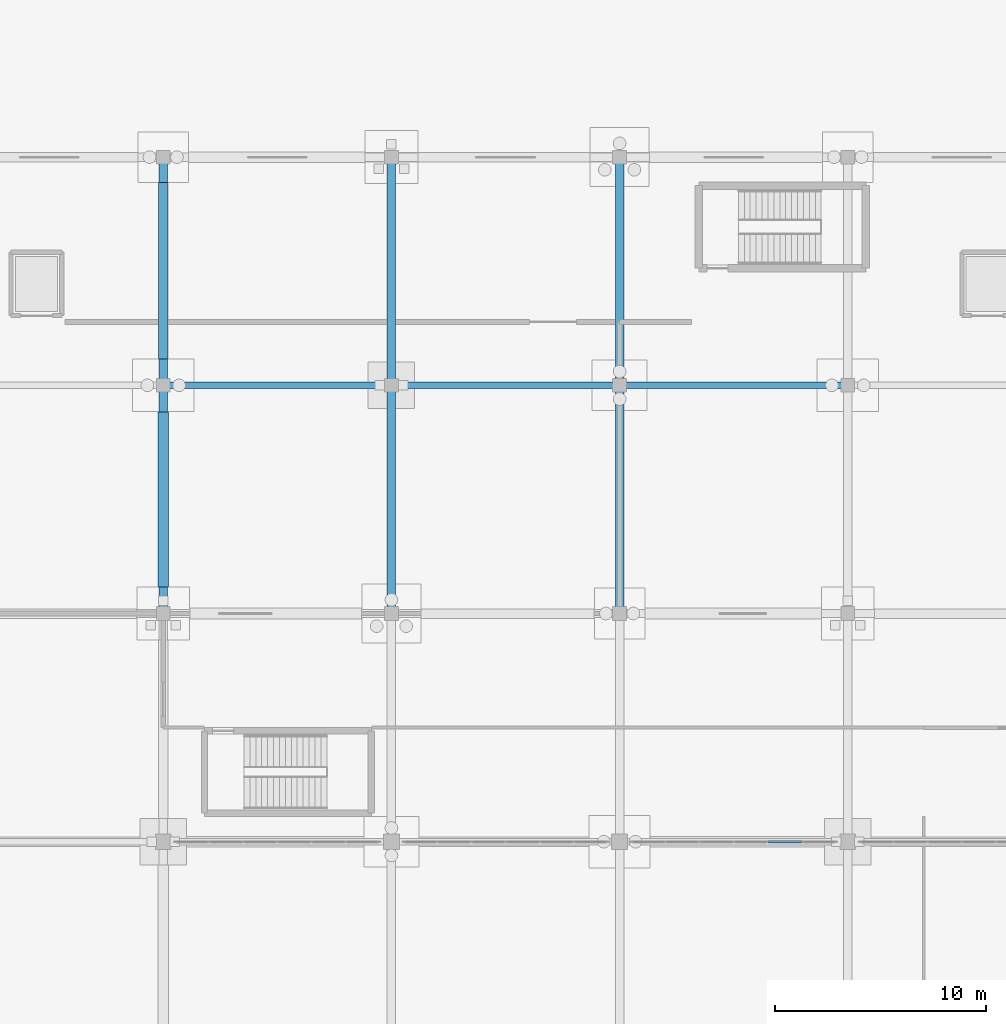
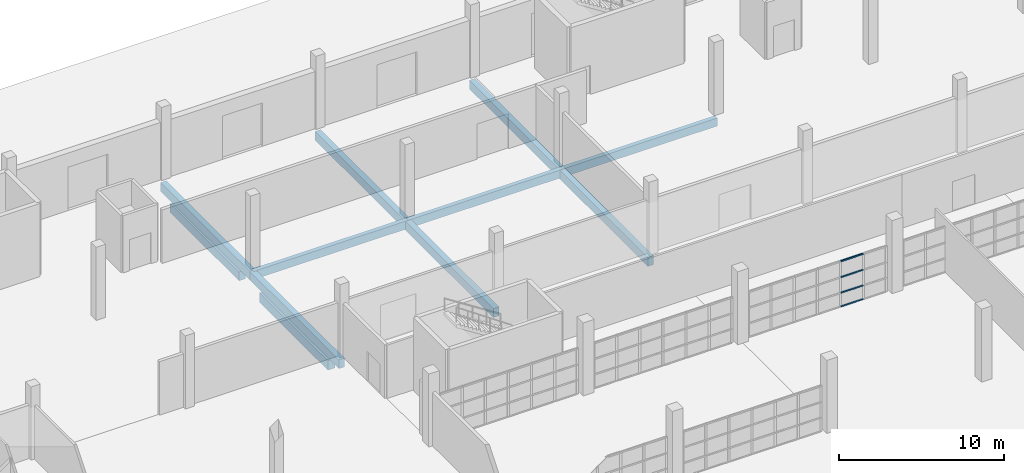
# One storey, part 55 of 138: 11 beams, 4 members, 1 element without a shape of its own.
"""IFC4 building model written with IfcOpenShell, lengths in metres."""

from ifc_helpers import new_model, si_unit, direction, frame, origin, origin_2d, place, context, subcontext, project, spatial, rectangle, extrude, material, material_profile, profile_set, type_object, element, aggregate, save


model = new_model("IFC4")

# Units and contexts
model_context = context("Model", 3, precision=1e-05, world=origin(), true_north=direction((0.0, 1.0)))
body_context = subcontext(model_context, "Body", "Model", "MODEL_VIEW")
ifc_project = project(units=[si_unit("LENGTHUNIT", "METRE"), si_unit("AREAUNIT", "SQUARE_METRE"), si_unit("VOLUMEUNIT", "CUBIC_METRE"), si_unit("PLANEANGLEUNIT", "RADIAN"), si_unit("MASSUNIT", "GRAM", prefix="KILO")], contexts=[model_context])

# Site, building, storey
site_placement = place(None, origin())
site = spatial("IfcSite", under=ifc_project, at=site_placement, CompositionType="ELEMENT")
building_placement = place(site_placement, origin())
building = spatial("IfcBuilding", under=site, at=building_placement, Name="Zwinboog Wholesale Market", CompositionType="ELEMENT")
storey_placement = place(building_placement, origin())
storey = spatial("IfcBuildingStorey", under=building, at=storey_placement, Name="L00", CompositionType="ELEMENT", Elevation=0.0)

# Beams
ifc_material_1 = material(Name="Precast concrete C45/55", Category="concrete")
ifc_material_profile_1 = material_profile(ifc_material_1, rectangle(XDim=0.39990234375, YDim=0.64990234375, at=origin_2d()), Name="PC 400x650")
ifc_profile_set_1 = profile_set([ifc_material_profile_1], Name="Precast concrete C45/55")
beam_type_1 = type_object("IfcBeamType", Name="BT-05", PredefinedType="BEAM", material=ifc_profile_set_1)
for number, where, z_axis, x_axis, name in (
    (1, (64.800048828125, 108.0, -0.719970703125), (0.0, 1.0, 0.0), (-1.0, 0.0, 0.0), "BG-05 (BMG-L00-0648-1080-0283)"),
    (2, (64.800048828125, 118.800048828125, -0.705078125), (0.0, 1.0, 0.0), (-1.0, 0.0, 0.0), "BG-05 (BMG-L00-0648-1188-0284)"),
    (3, (75.60009765625, 108.0, -0.719970703125), (0.0, 1.0, 0.0), (-1.0, 0.0, 0.0), "BG-05 (BMG-L00-0756-1080-0291)"),
    (4, (75.60009765625, 118.800048828125, -0.705078125), (0.0, 1.0, 0.0), (-1.0, 0.0, 0.0), "BG-05 (BMG-L00-0756-1188-0292)"),
    (5, (86.39990234375, 108.0, -0.719970703125), (0.0, 1.0, 0.0), (-1.0, 0.0, 0.0), "BG-05 (BMG-L00-0864-1080-0299)"),
    (6, (86.39990234375, 118.800048828125, -0.705078125), (0.0, 1.0, 0.0), (-1.0, 0.0, 0.0), "BG-05 (BMG-L00-0864-1188-0300)"),
):
    element("IfcBeam", number, at=place(storey_placement, frame(where, z_axis=z_axis, x_axis=x_axis)), inside=storey, type_object=beam_type_1, Name=name, PredefinedType="BEAM", context=body_context, shape_type="SweptSolid", body=[
        extrude(rectangle(XDim=0.39990234375, YDim=0.64990234375, at=origin_2d()), origin(), (0.0, 0.0, 1.0), 10.800048828125),
    ])
ifc_material_profile_2 = material_profile(ifc_material_1, rectangle(XDim=0.300048828125, YDim=0.60009765625, at=origin_2d()), Name="PC 300x600")
ifc_profile_set_2 = profile_set([ifc_material_profile_2], Name="Precast concrete C45/55")
beam_type_2 = type_object("IfcBeamType", Name="BT-09", PredefinedType="SPANDREL", material=ifc_profile_set_2)
beam_1_placement = place(storey_placement, frame((64.800048828125, 118.800048828125, -0.679931640625), z_axis=(1.0, 0.0, 0.0), x_axis=(0.0, 1.0, 0.0)))
element("IfcBeam", 7, at=beam_1_placement, inside=storey, type_object=beam_type_2, Name="SP-02 (BMG-L00-0648-1188-0177)", PredefinedType="SPANDREL", context=body_context, shape_type="SweptSolid", body=[
    extrude(rectangle(XDim=0.300048828125, YDim=0.60009765625, at=origin_2d()), origin(), (0.0, 0.0, 1.0), 10.800048828125),
])
beam_2_placement = place(storey_placement, frame((75.60009765625, 118.800048828125, -0.679931640625), z_axis=(1.0, 0.0, 0.0), x_axis=(0.0, 1.0, 0.0)))
element("IfcBeam", 8, at=beam_2_placement, inside=storey, type_object=beam_type_2, Name="SP-02 (BMG-L00-0756-1188-0178)", PredefinedType="SPANDREL", context=body_context, shape_type="SweptSolid", body=[
    extrude(rectangle(XDim=0.300048828125, YDim=0.60009765625, at=origin_2d()), origin(), (0.0, 0.0, 1.0), 10.7998046875),
])
beam_3_placement = place(storey_placement, frame((86.39990234375, 118.800048828125, -0.679931640625), z_axis=(1.0, 0.0, 0.0), x_axis=(0.0, 1.0, 0.0)))
element("IfcBeam", 9, at=beam_3_placement, inside=storey, type_object=beam_type_2, Name="SP-02 (BMG-L00-0864-1188-0179)", PredefinedType="SPANDREL", context=body_context, shape_type="SweptSolid", body=[
    extrude(rectangle(XDim=0.300048828125, YDim=0.60009765625, at=origin_2d()), origin(), (0.0, 0.0, 1.0), 10.800048828125),
])
ifc_material_2 = material(Name="Concrete C35/45", Category="concrete")
ifc_material_profile_3 = material_profile(ifc_material_2, rectangle(XDim=0.5, YDim=0.699951171875, at=origin_2d()), Name="RC 500x700")
ifc_profile_set_3 = profile_set([ifc_material_profile_3], Name="Concrete C35/45")
beam_type_3 = type_object("IfcBeamType", Name="BT-12", PredefinedType="USERDEFINED", material=ifc_profile_set_3)
beam_4_placement = place(storey_placement, frame((64.800048828125, 109.2548828125, -1.550048828125), z_axis=(0.0, 1.0, 0.0), x_axis=(-1.0, 0.0, 0.0)))
element("IfcBeam", 10, at=beam_4_placement, inside=storey, type_object=beam_type_3, Name="GB-01 (BM-GB-0158)", ObjectType="GROUND_BEAM", PredefinedType="USERDEFINED", context=body_context, shape_type="SweptSolid", body=[
    extrude(rectangle(XDim=0.5, YDim=0.699951171875, at=origin_2d()), origin(), (0.0, 0.0, 1.0), 8.2900390625),
])
ifc_material_profile_4 = material_profile(ifc_material_2, rectangle(XDim=0.449951171875, YDim=0.64990234375, at=origin_2d()), Name="RC 450x650")
ifc_profile_set_4 = profile_set([ifc_material_profile_4], Name="Concrete C35/45")
beam_type_4 = type_object("IfcBeamType", Name="BT-13", PredefinedType="USERDEFINED", material=ifc_profile_set_4)
beam_5_placement = place(storey_placement, frame((64.800048828125, 120.054931640625, -1.52490234375), z_axis=(0.0, 1.0, 0.0), x_axis=(-1.0, 0.0, 0.0)))
element("IfcBeam", 11, at=beam_5_placement, inside=storey, type_object=beam_type_4, Name="GB-02 (BM-GB-0159)", ObjectType="GROUND_BEAM", PredefinedType="USERDEFINED", context=body_context, shape_type="SweptSolid", body=[
    extrude(rectangle(XDim=0.449951171875, YDim=0.64990234375, at=origin_2d()), origin(), (0.0, 0.0, 1.0), 8.340087890625),
])

# Curtain wall, members
ifc_material_3 = material(Name="Aluminium thermally broken curtain wall", Category="aluminium")
curtain_wall_type = type_object("IfcCurtainWallType", Name="CWT-INT-STALL", PredefinedType="USERDEFINED", material=ifc_material_3)
curtain_wall_placement = place(storey_placement, origin())
curtain_wall = element("IfcCurtainWall", 12, at=curtain_wall_placement, inside=storey, type_object=curtain_wall_type, Name="CW-07 (CW-STL-201)", ObjectType="STOREFRONT_GLAZING", PredefinedType="USERDEFINED")
ifc_material_4 = material(Name="Aluminium EN AW-6060", Category="aluminium")
ifc_material_profile_5 = material_profile(ifc_material_4, rectangle(XDim=0.110107421875, YDim=0.06005859375, at=origin_2d()), Name="AL 60x110")
ifc_profile_set_5 = profile_set([ifc_material_profile_5], Name="Aluminium EN AW-6060")
member_type = type_object("IfcMemberType", Name="CWT-INT-60x100", PredefinedType="USERDEFINED", material=ifc_profile_set_5)
member_1_placement = place(storey_placement, frame((93.44677734375, 97.199951171875, 0.030029296875), z_axis=(1.0, 0.0, 0.0), x_axis=(0.0, 1.0, 0.0)))
member_1 = element("IfcMember", 13, at=member_1_placement, type_object=member_type, Name="CW-07 transom 5.1", ObjectType="TRANSOM", PredefinedType="USERDEFINED", context=body_context, shape_type="SweptSolid", body=[
    extrude(rectangle(XDim=0.110107421875, YDim=0.06005859375, at=origin_2d()), origin(), (0.0, 0.0, 1.0), 1.556640625),
])
member_2_placement = place(storey_placement, frame((93.44677734375, 97.199951171875, 1.050048828125), z_axis=(1.0, 0.0, 0.0), x_axis=(0.0, 1.0, 0.0)))
member_2 = element("IfcMember", 14, at=member_2_placement, type_object=member_type, Name="CW-07 transom 5.2", ObjectType="TRANSOM", PredefinedType="USERDEFINED", context=body_context, shape_type="SweptSolid", body=[
    extrude(rectangle(XDim=0.110107421875, YDim=0.06005859375, at=origin_2d()), origin(), (0.0, 0.0, 1.0), 1.556640625),
])
member_3_placement = place(storey_placement, frame((93.44677734375, 97.199951171875, 2.199951171875), z_axis=(1.0, 0.0, 0.0), x_axis=(0.0, 1.0, 0.0)))
member_3 = element("IfcMember", 15, at=member_3_placement, type_object=member_type, Name="CW-07 transom 5.3", ObjectType="TRANSOM", PredefinedType="USERDEFINED", context=body_context, shape_type="SweptSolid", body=[
    extrude(rectangle(XDim=0.110107421875, YDim=0.06005859375, at=origin_2d()), origin(), (0.0, 0.0, 1.0), 1.556640625),
])
member_4_placement = place(storey_placement, frame((93.44677734375, 97.199951171875, 3.3701171875), z_axis=(1.0, 0.0, 0.0), x_axis=(0.0, 1.0, 0.0)))
member_4 = element("IfcMember", 16, at=member_4_placement, type_object=member_type, Name="CW-07 transom 5.4", ObjectType="TRANSOM", PredefinedType="USERDEFINED", context=body_context, shape_type="SweptSolid", body=[
    extrude(rectangle(XDim=0.110107421875, YDim=0.06005859375, at=origin_2d()), origin(), (0.0, 0.0, 1.0), 1.556640625),
])
aggregate(curtain_wall, [member_1, member_2, member_3, member_4])

save(model, "model.ifc")
